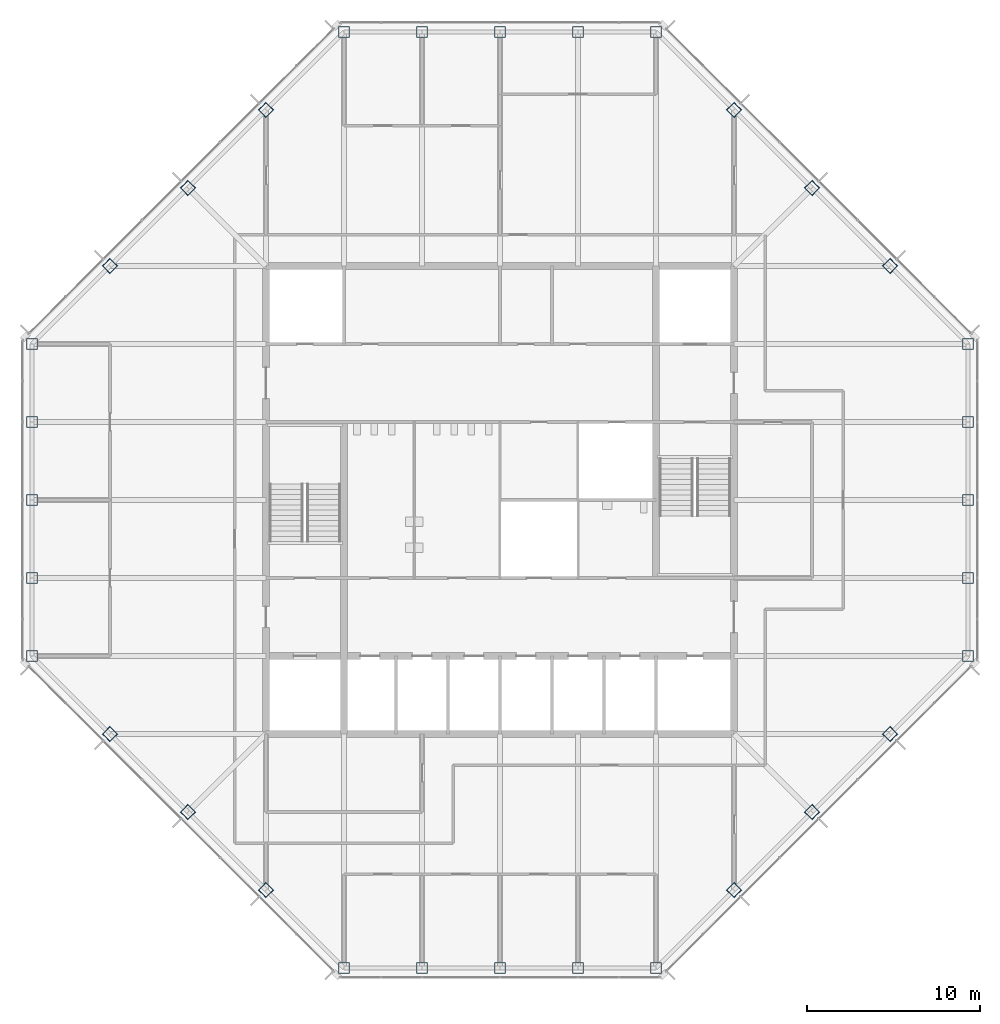
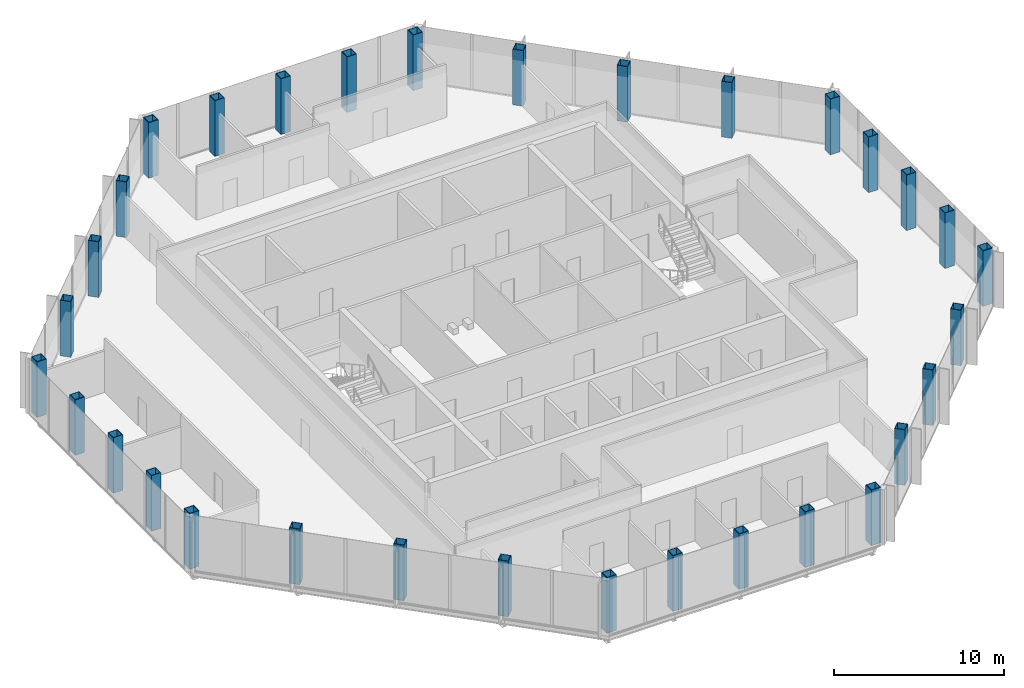
# One storey, part 1 of 13: 32 columns.
"""IFC4 building model written with IfcOpenShell, lengths in metres."""

from ifc_helpers import new_model, si_unit, direction, frame, origin, origin_2d, place, context, subcontext, project, spatial, hollow_rectangle, extrude, material, material_profile, profile_set, type_object, element, save


model = new_model("IFC4")

# Units and contexts
model_context = context("Model", 3, precision=1e-05, world=origin(), true_north=direction((0.0, 1.0)))
body_context = subcontext(model_context, "Body", "Model", "MODEL_VIEW")
ifc_project = project(units=[si_unit("LENGTHUNIT", "METRE"), si_unit("AREAUNIT", "SQUARE_METRE"), si_unit("VOLUMEUNIT", "CUBIC_METRE"), si_unit("PLANEANGLEUNIT", "RADIAN"), si_unit("MASSUNIT", "GRAM", prefix="KILO")], contexts=[model_context])

# Site, building, storey
site_placement = place(None, origin())
site = spatial("IfcSite", under=ifc_project, at=site_placement, CompositionType="ELEMENT")
building_placement = place(site_placement, origin())
building = spatial("IfcBuilding", under=site, at=building_placement, Name="Corais Broadcast Tower", CompositionType="ELEMENT")
storey_placement = place(building_placement, frame((0.0, 0.0, 222.60009765625)))
storey = spatial("IfcBuildingStorey", under=building, at=storey_placement, Name="L51", CompositionType="ELEMENT", Elevation=222.60009765625)

# Columns
ifc_material = material(Name="Steel ASTM A572 Grade 50", Category="steel")
ifc_material_profile = material_profile(ifc_material, hollow_rectangle(XDim=0.64990234375, YDim=0.64990234375, WallThickness=0.031982421875, at=origin_2d()), Name="BOX 650x650x32")
ifc_profile_set = profile_set([ifc_material_profile], Name="Steel ASTM A572 Grade 50")
column_type = type_object("IfcColumnType", Name="Column BOX 650x650x32", PredefinedType="COLUMN", material=ifc_profile_set)
for number, where, z_axis, x_axis, name in (
    (1, (18.0, 0.0, 0.0), (0.0, 0.0, 1.0), (1.0, 0.0, 0.0), "C6 A/7"),
    (2, (22.5, 0.0, 0.0), (0.0, 0.0, 1.0), (1.0, 0.0, 0.0), "C6 A/8"),
    (3, (27.0, 0.0, 0.0), (0.0, 0.0, 1.0), (1.0, 0.0, 0.0), "C6 A/9"),
    (4, (31.5, 0.0, 0.0), (0.0, 0.0, 1.0), (1.0, 0.0, 0.0), "C6 A/10"),
    (5, (36.0, 0.0, 0.0), (0.0, 0.0, 1.0), (1.0, 0.0, 0.0), "C6 A/11"),
    (6, (54.0, 18.0, 0.0), (0.0, 0.0, 1.0), (1.0, 0.0, 0.0), "C6 E/15"),
    (7, (54.0, 22.5, 0.0), (0.0, 0.0, 1.0), (1.0, 0.0, 0.0), "C6 F/15"),
    (8, (54.0, 27.0, 0.0), (0.0, 0.0, 1.0), (1.0, 0.0, 0.0), "C6 G/15"),
    (9, (54.0, 31.5, 0.0), (0.0, 0.0, 1.0), (1.0, 0.0, 0.0), "C6 H/15"),
    (10, (54.0, 36.0, 0.0), (0.0, 0.0, 1.0), (1.0, 0.0, 0.0), "C6 J/15"),
    (11, (36.0, 54.0, 0.0), (0.0, 0.0, 1.0), (1.0, 0.0, 0.0), "C6 N/11"),
    (12, (31.5, 54.0, 0.0), (0.0, 0.0, 1.0), (1.0, 0.0, 0.0), "C6 N/10"),
    (13, (27.0, 54.0, 0.0), (0.0, 0.0, 1.0), (1.0, 0.0, 0.0), "C6 N/9"),
    (14, (22.5, 54.0, 0.0), (0.0, 0.0, 1.0), (1.0, 0.0, 0.0), "C6 N/8"),
    (15, (18.0, 54.0, 0.0), (0.0, 0.0, 1.0), (1.0, 0.0, 0.0), "C6 N/7"),
    (16, (0.0, 36.0, 0.0), (0.0, 0.0, 1.0), (1.0, 0.0, 0.0), "C6 J/3"),
    (17, (0.0, 31.5, 0.0), (0.0, 0.0, 1.0), (1.0, 0.0, 0.0), "C6 H/3"),
    (18, (0.0, 27.0, 0.0), (0.0, 0.0, 1.0), (1.0, 0.0, 0.0), "C6 G/3"),
    (19, (0.0, 22.5, 0.0), (0.0, 0.0, 1.0), (1.0, 0.0, 0.0), "C6 F/3"),
    (20, (0.0, 18.0, 0.0), (0.0, 0.0, 1.0), (1.0, 0.0, 0.0), "C6 E/3"),
    (21, (13.5, 4.5, 0.0), (0.0, 0.0, 1.0), (0.707106781187, 0.707106781187, 0.0), "C6 B/6"),
    (22, (9.0, 9.0, 0.0), (0.0, 0.0, 1.0), (0.707106781187, 0.707106781187, 0.0), "C6 C/5"),
    (23, (4.5, 13.5, 0.0), (0.0, 0.0, 1.0), (0.707106781187, 0.707106781187, 0.0), "C6 D/4"),
    (24, (40.5, 4.5, 0.0), (0.0, 0.0, 1.0), (0.707106781187, 0.707106781187, 0.0), "C6 B/12"),
    (25, (45.0, 9.0, 0.0), (0.0, 0.0, 1.0), (0.707106781187, 0.707106781187, 0.0), "C6 C/13"),
    (26, (49.5, 13.5, 0.0), (0.0, 0.0, 1.0), (0.707106781187, 0.707106781187, 0.0), "C6 D/14"),
    (27, (49.5, 40.5, 0.0), (0.0, 0.0, 1.0), (0.707106781187, 0.707106781187, 0.0), "C6 K/14"),
    (28, (45.0, 45.0, 0.0), (0.0, 0.0, 1.0), (0.707106781187, 0.707106781187, 0.0), "C6 L/13"),
    (29, (40.5, 49.5, 0.0), (0.0, 0.0, 1.0), (0.707106781187, 0.707106781187, 0.0), "C6 M/12"),
    (30, (4.5, 40.5, 0.0), (0.0, 0.0, 1.0), (0.707106781187, 0.707106781187, 0.0), "C6 K/4"),
    (31, (9.0, 45.0, 0.0), (0.0, 0.0, 1.0), (0.707106781187, 0.707106781187, 0.0), "C6 L/5"),
    (32, (13.5, 49.5, 0.0), (0.0, 0.0, 1.0), (0.707106781187, 0.707106781187, 0.0), "C6 M/6"),
):
    element("IfcColumn", number, at=place(storey_placement, frame(where, z_axis=z_axis, x_axis=x_axis)), inside=storey, type_object=column_type, Name=name, PredefinedType="COLUMN", context=body_context, shape_type="SweptSolid", body=[
        extrude(hollow_rectangle(XDim=0.64990234375, YDim=0.64990234375, WallThickness=0.031982421875, at=origin_2d()), origin(), (0.0, 0.0, 1.0), 4.0),
    ])

save(model, "model.ifc")
